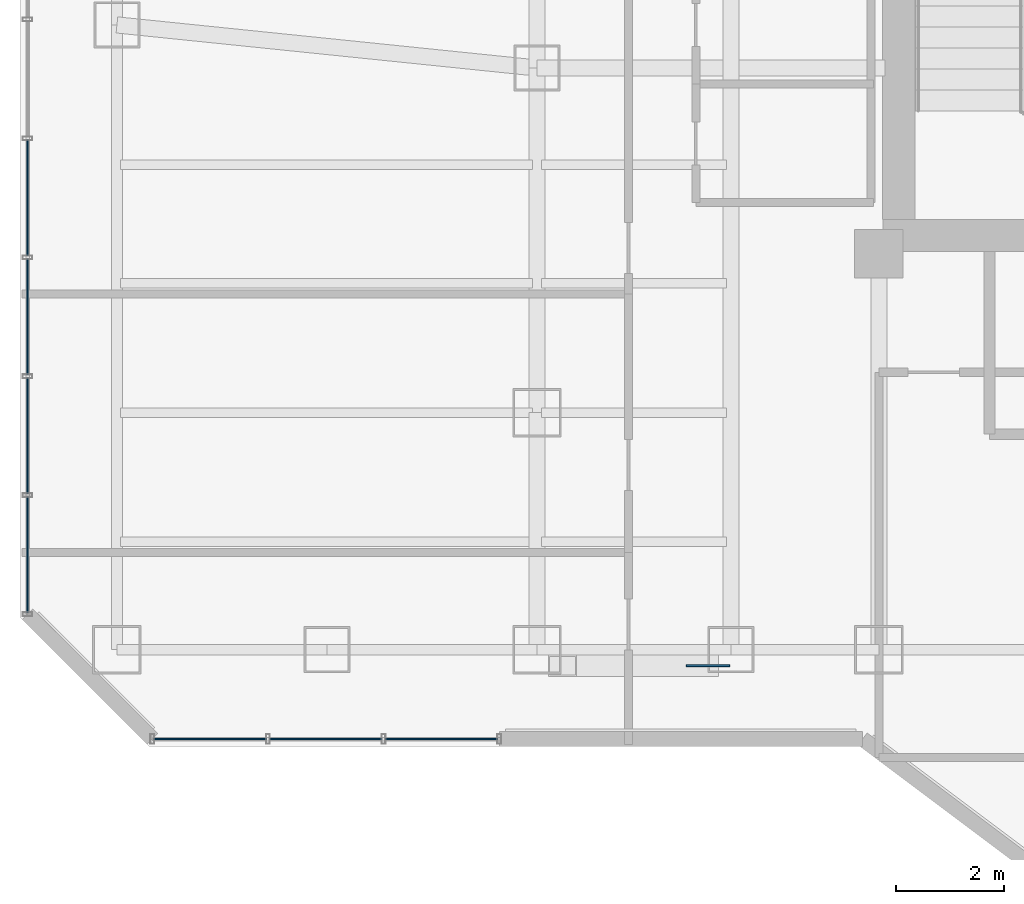
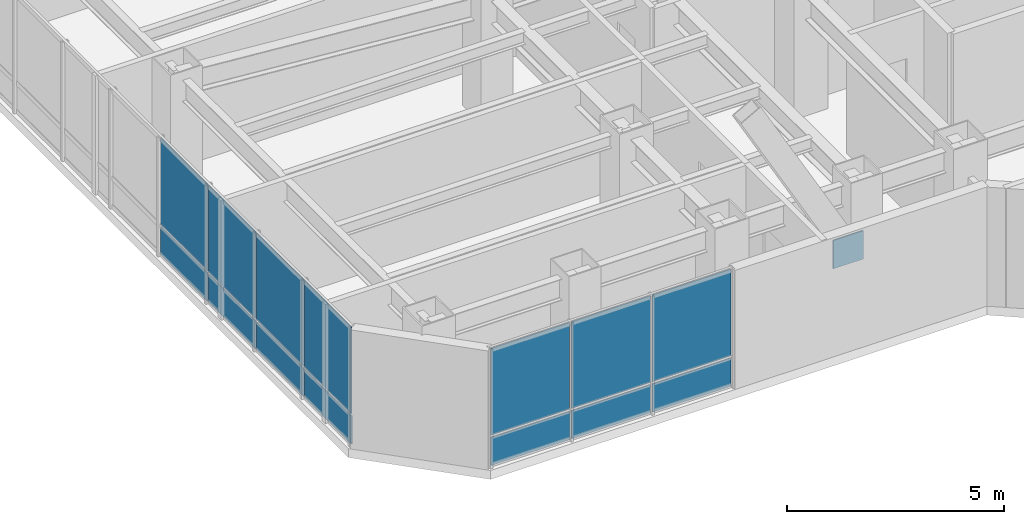
# One storey, part 20 of 31: 15 plates, 2 elements without a shape of their own.
"""IFC4 building model written with IfcOpenShell, lengths in metres."""

from ifc_helpers import new_model, si_unit, direction, frame, origin, origin_2d, place, context, subcontext, project, spatial, rectangle, extrude, material, layer, layer_set, type_object, element, aggregate, save


model = new_model("IFC4")

# Units and contexts
model_context = context("Model", 3, precision=1e-05, world=origin(), true_north=direction((0.0, 1.0)))
body_context = subcontext(model_context, "Body", "Model", "MODEL_VIEW")
ifc_project = project(units=[si_unit("LENGTHUNIT", "METRE"), si_unit("AREAUNIT", "SQUARE_METRE"), si_unit("VOLUMEUNIT", "CUBIC_METRE"), si_unit("PLANEANGLEUNIT", "RADIAN"), si_unit("MASSUNIT", "GRAM", prefix="KILO")], contexts=[model_context])

# Site, building, storey
site_placement = place(None, origin())
site = spatial("IfcSite", under=ifc_project, at=site_placement, CompositionType="ELEMENT")
building_placement = place(site_placement, origin())
building = spatial("IfcBuilding", under=site, at=building_placement, Name="Hatsunagi Terrace Concourse", CompositionType="ELEMENT")
storey_placement = place(building_placement, frame((0.0, 0.0, 122.85009765625)))
storey = spatial("IfcBuildingStorey", under=building, at=storey_placement, Name="L32", CompositionType="ELEMENT", Elevation=122.85009765625)

# Curtain wall, plates
ifc_material_1 = material(Name="Anodised Aluminium Alloy 6063-T5", Category="aluminium")
ifc_layer_1 = layer(ifc_material_1, 0.199951171875)
ifc_layer_set_1 = layer_set([ifc_layer_1], Name="OfficeZone1_CW03")
curtain_wall_type = type_object("IfcCurtainWallType", Name="OfficeZone1_CW03", PredefinedType="NOTDEFINED", material=ifc_layer_set_1)
curtain_wall_1_placement = place(storey_placement, origin())
curtain_wall_1 = element("IfcCurtainWall", 1, at=curtain_wall_1_placement, inside=storey, type_object=curtain_wall_type, Name="Unitised Curtain Wall CW-03 CW-L32-07", PredefinedType="NOTDEFINED")
ifc_material_2 = material(Name="Warm Terracotta Ceramic Spandrel Panel", Category="masonry")
ifc_layer_2 = layer(ifc_material_2, 0.031982421875)
ifc_layer_set_2 = layer_set([ifc_layer_2], Name="CurtainWallSpandrelPanel_32")
plate_type_1 = type_object("IfcPlateType", Name="CurtainWallSpandrelPanel_32", PredefinedType="SHEET", material=ifc_layer_set_2)
plate_1_placement = place(storey_placement, frame((17.426025390625, 23.5400390625, 0.02978515625), z_axis=(0.0, 0.0, 1.0), x_axis=(-1.0, 0.0, 0.0)))
plate_1 = element("IfcPlate", 2, at=plate_1_placement, type_object=plate_type_1, Name="Terracotta Spandrel Panel SPN-01", PredefinedType="SHEET", context=body_context, shape_type="SweptSolid", body=[
    extrude(rectangle(XDim=2.092041015625, YDim=0.031982421875, at=origin_2d()), origin(), (0.0, 0.0, 1.0), 0.7900390625),
])
plate_2_placement = place(storey_placement, frame((15.279052734375, 23.5400390625, 0.02978515625), z_axis=(0.0, 0.0, 1.0), x_axis=(-1.0, 0.0, 0.0)))
plate_2 = element("IfcPlate", 3, at=plate_2_placement, type_object=plate_type_1, Name="Terracotta Spandrel Panel SPN-01", PredefinedType="SHEET", context=body_context, shape_type="SweptSolid", body=[
    extrude(rectangle(XDim=2.092041015625, YDim=0.031982421875, at=origin_2d()), origin(), (0.0, 0.0, 1.0), 0.7900390625),
])
plate_3_placement = place(storey_placement, frame((13.132080078125, 23.5400390625, 0.02978515625), z_axis=(0.0, 0.0, 1.0), x_axis=(-1.0, 0.0, 0.0)))
plate_3 = element("IfcPlate", 4, at=plate_3_placement, type_object=plate_type_1, Name="Terracotta Spandrel Panel SPN-01", PredefinedType="SHEET", context=body_context, shape_type="SweptSolid", body=[
    extrude(rectangle(XDim=2.092041015625, YDim=0.031982421875, at=origin_2d()), origin(), (0.0, 0.0, 1.0), 0.7900390625),
])

curtain_wall_2_placement = place(storey_placement, origin())
curtain_wall_2 = element("IfcCurtainWall", 5, at=curtain_wall_2_placement, inside=storey, type_object=curtain_wall_type, Name="Unitised Curtain Wall CW-03 CW-L32-09", PredefinedType="NOTDEFINED")
plate_4_placement = place(storey_placement, frame((9.739990234375, 26.9619140625, 0.02978515625), z_axis=(0.0, 0.0, 1.0), x_axis=(0.0, 1.0, 0.0)))
plate_4 = element("IfcPlate", 6, at=plate_4_placement, type_object=plate_type_1, Name="Terracotta Spandrel Panel SPN-01", PredefinedType="SHEET", context=body_context, shape_type="SweptSolid", body=[
    extrude(rectangle(XDim=2.153076171875, YDim=0.031982421875, at=origin_2d()), origin(), (0.0, 0.0, 1.0), 0.7900390625),
])
plate_5_placement = place(storey_placement, frame((9.739990234375, 29.1708984375, 0.02978515625), z_axis=(0.0, 0.0, 1.0), x_axis=(0.0, 1.0, 0.0)))
plate_5 = element("IfcPlate", 7, at=plate_5_placement, type_object=plate_type_1, Name="Terracotta Spandrel Panel SPN-01", PredefinedType="SHEET", context=body_context, shape_type="SweptSolid", body=[
    extrude(rectangle(XDim=2.153076171875, YDim=0.031982421875, at=origin_2d()), origin(), (0.0, 0.0, 1.0), 0.7900390625),
])
plate_6_placement = place(storey_placement, frame((9.739990234375, 31.37890625, 0.02978515625), z_axis=(0.0, 0.0, 1.0), x_axis=(0.0, 1.0, 0.0)))
plate_6 = element("IfcPlate", 8, at=plate_6_placement, type_object=plate_type_1, Name="Terracotta Spandrel Panel SPN-01", PredefinedType="SHEET", context=body_context, shape_type="SweptSolid", body=[
    extrude(rectangle(XDim=2.153076171875, YDim=0.031982421875, at=origin_2d()), origin(), (0.0, 0.0, 1.0), 0.7900390625),
])
plate_7_placement = place(storey_placement, frame((9.739990234375, 33.5869140625, 0.02978515625), z_axis=(0.0, 0.0, 1.0), x_axis=(0.0, 1.0, 0.0)))
plate_7 = element("IfcPlate", 9, at=plate_7_placement, type_object=plate_type_1, Name="Terracotta Spandrel Panel SPN-01", PredefinedType="SHEET", context=body_context, shape_type="SweptSolid", body=[
    extrude(rectangle(XDim=2.153076171875, YDim=0.031982421875, at=origin_2d()), origin(), (0.0, 0.0, 1.0), 0.7900390625),
])

# Plate
ifc_material_3 = material(Name="Low-E Double Insulating Glass 28mm", Category="glass")
ifc_layer_3 = layer(ifc_material_3, 0.028076171875)
ifc_layer_set_3 = layer_set([ifc_layer_3], Name="CurtainWallVisionGlass_28")
plate_type_2 = type_object("IfcPlateType", Name="CurtainWallVisionGlass_28", PredefinedType="CURTAIN_PANEL", material=ifc_layer_set_3)
plate_8_placement = place(storey_placement, frame((17.426025390625, 23.5400390625, 0.8798828125), z_axis=(0.0, 0.0, 1.0), x_axis=(-1.0, 0.0, 0.0)))
plate_8 = element("IfcPlate", 10, at=plate_8_placement, type_object=plate_type_2, Name="Low-E Vision Glass Panel GLZ-01", PredefinedType="CURTAIN_PANEL", context=body_context, shape_type="SweptSolid", body=[
    extrude(rectangle(XDim=2.092041015625, YDim=0.028076171875, at=origin_2d()), origin(), (0.0, 0.0, 1.0), 2.43994140625),
])

plate_9_placement = place(storey_placement, frame((15.279052734375, 23.5400390625, 0.8798828125), z_axis=(0.0, 0.0, 1.0), x_axis=(-1.0, 0.0, 0.0)))
plate_9 = element("IfcPlate", 11, at=plate_9_placement, type_object=plate_type_2, Name="Low-E Vision Glass Panel GLZ-01", PredefinedType="CURTAIN_PANEL", context=body_context, shape_type="SweptSolid", body=[
    extrude(rectangle(XDim=2.092041015625, YDim=0.028076171875, at=origin_2d()), origin(), (0.0, 0.0, 1.0), 2.43994140625),
])

plate_10_placement = place(storey_placement, frame((13.132080078125, 23.5400390625, 0.8798828125), z_axis=(0.0, 0.0, 1.0), x_axis=(-1.0, 0.0, 0.0)))
plate_10 = element("IfcPlate", 12, at=plate_10_placement, type_object=plate_type_2, Name="Low-E Vision Glass Panel GLZ-01", PredefinedType="CURTAIN_PANEL", context=body_context, shape_type="SweptSolid", body=[
    extrude(rectangle(XDim=2.092041015625, YDim=0.028076171875, at=origin_2d()), origin(), (0.0, 0.0, 1.0), 2.43994140625),
])

aggregate(curtain_wall_1, [plate_1, plate_8, plate_2, plate_9, plate_3, plate_10])

plate_11_placement = place(storey_placement, frame((9.739990234375, 26.9619140625, 0.8798828125), z_axis=(0.0, 0.0, 1.0), x_axis=(0.0, 1.0, 0.0)))
plate_11 = element("IfcPlate", 13, at=plate_11_placement, type_object=plate_type_2, Name="Low-E Vision Glass Panel GLZ-01", PredefinedType="CURTAIN_PANEL", context=body_context, shape_type="SweptSolid", body=[
    extrude(rectangle(XDim=2.153076171875, YDim=0.028076171875, at=origin_2d()), origin(), (0.0, 0.0, 1.0), 2.43994140625),
])

plate_12_placement = place(storey_placement, frame((9.739990234375, 29.1708984375, 0.8798828125), z_axis=(0.0, 0.0, 1.0), x_axis=(0.0, 1.0, 0.0)))
plate_12 = element("IfcPlate", 14, at=plate_12_placement, type_object=plate_type_2, Name="Low-E Vision Glass Panel GLZ-01", PredefinedType="CURTAIN_PANEL", context=body_context, shape_type="SweptSolid", body=[
    extrude(rectangle(XDim=2.153076171875, YDim=0.028076171875, at=origin_2d()), origin(), (0.0, 0.0, 1.0), 2.43994140625),
])

plate_13_placement = place(storey_placement, frame((9.739990234375, 31.37890625, 0.8798828125), z_axis=(0.0, 0.0, 1.0), x_axis=(0.0, 1.0, 0.0)))
plate_13 = element("IfcPlate", 15, at=plate_13_placement, type_object=plate_type_2, Name="Low-E Vision Glass Panel GLZ-01", PredefinedType="CURTAIN_PANEL", context=body_context, shape_type="SweptSolid", body=[
    extrude(rectangle(XDim=2.153076171875, YDim=0.028076171875, at=origin_2d()), origin(), (0.0, 0.0, 1.0), 2.43994140625),
])

plate_14_placement = place(storey_placement, frame((9.739990234375, 33.5869140625, 0.8798828125), z_axis=(0.0, 0.0, 1.0), x_axis=(0.0, 1.0, 0.0)))
plate_14 = element("IfcPlate", 16, at=plate_14_placement, type_object=plate_type_2, Name="Low-E Vision Glass Panel GLZ-01", PredefinedType="CURTAIN_PANEL", context=body_context, shape_type="SweptSolid", body=[
    extrude(rectangle(XDim=2.153076171875, YDim=0.028076171875, at=origin_2d()), origin(), (0.0, 0.0, 1.0), 2.43994140625),
])

aggregate(curtain_wall_2, [plate_4, plate_11, plate_5, plate_12, plate_6, plate_13, plate_7, plate_14])

ifc_material_4 = material(Name="Steel SN490C", Category="steel")
ifc_layer_4 = layer(ifc_material_4, 0.031982421875)
ifc_layer_set_4 = layer_set([ifc_layer_4], Name="XBraceNodeCapPlate_32")
plate_type_3 = type_object("IfcPlateType", Name="XBraceNodeCapPlate_32", PredefinedType="USERDEFINED", material=ifc_layer_set_4)
plate_15_placement = place(storey_placement, frame((22.375, 24.89990234375, 1.27490234375), z_axis=(0.0, 0.0, 1.0), x_axis=(1.0, 0.0, 0.0)))
element("IfcPlate", 17, at=plate_15_placement, inside=storey, type_object=plate_type_3, Name="X-Brace Crossing Gusset Node Plate GP-02 XB-L31-W1", ObjectType="GUSSET_PLATE", PredefinedType="USERDEFINED", context=body_context, shape_type="SweptSolid", body=[
    extrude(rectangle(XDim=0.800048828125, YDim=0.031982421875, at=origin_2d()), origin(), (0.0, 0.0, 1.0), 0.800048828125),
])

save(model, "model.ifc")
